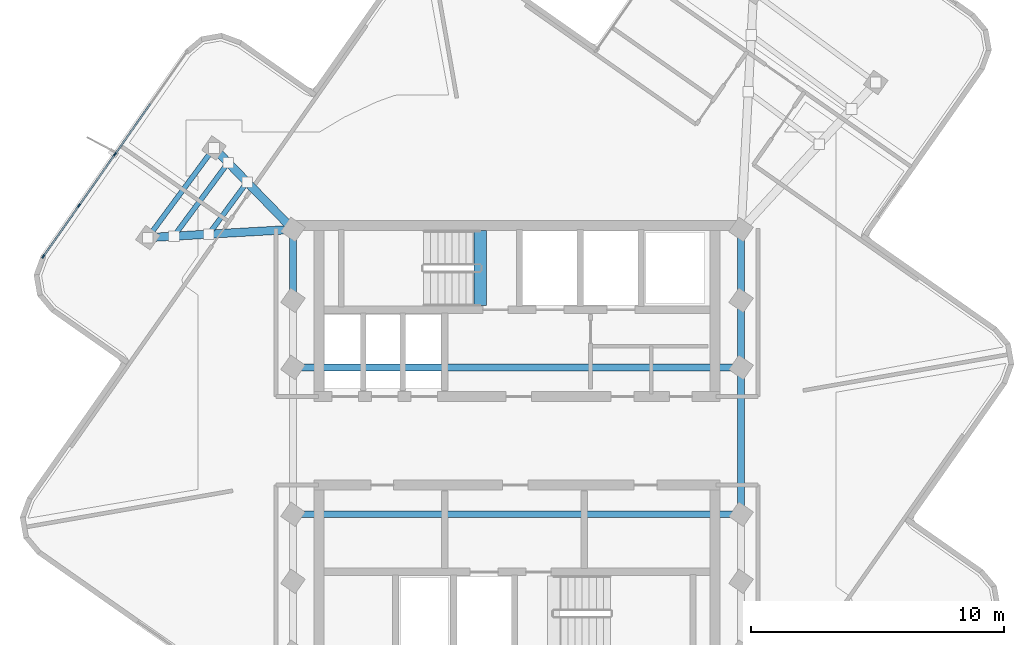
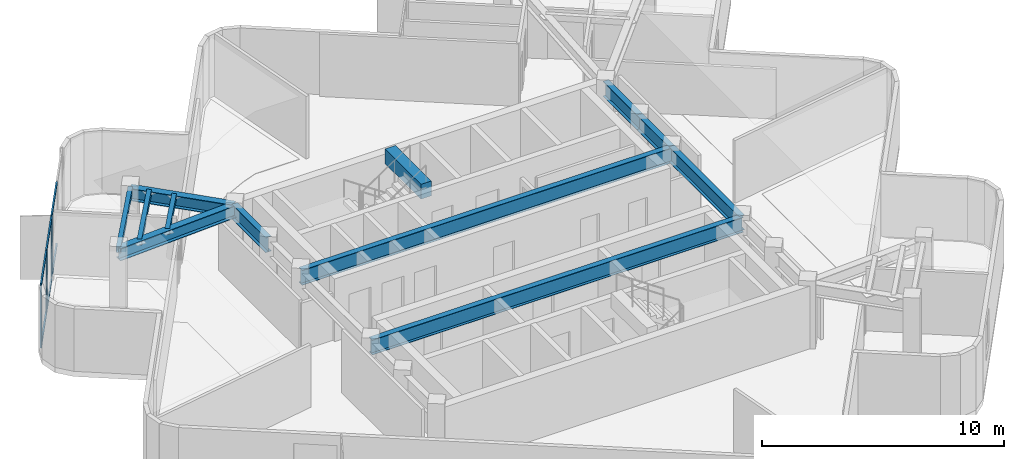
# One storey, part 2 of 9: 12 beams, 9 members, 1 element without a shape of its own.
"""IFC4 building model written with IfcOpenShell, lengths in metres."""

import ifcopenshell
import ifcopenshell.guid

model = None  # the IFC model being written
_history = None  # IfcOwnerHistory: only IFC2X3 demands one
_inside = {}  # id of a spatial element -> (the spatial element, [elements in it])
_under = {}  # id of a project, library or spatial element -> (it, [spatial elements below it])
_declared = {}  # id of a project -> (the project, [libraries it declares])
_typed = {}  # id of a type object -> (the type object, [elements of that type])
_made_of = {}  # id of a material, layer set ... -> (it, [elements and type objects made of it])


def new_model(schema):
    """Start an empty IFC model of exactly this schema.

    Asked for "IFC4X3", IfcOpenShell would pick the latest addendum, in which some entities
    have other attributes; the version numbers below select the first issue.
    IFC2X3 requires an IfcOwnerHistory on every rooted entity: one is made here for all.
    """
    global model, _history
    if schema == "IFC4X3":
        model = ifcopenshell.file(schema_version=(4, 3, 0, 0))
    else:
        model = ifcopenshell.file(schema=schema)
    _inside.clear()
    _under.clear()
    _declared.clear()
    _typed.clear()
    _made_of.clear()
    _history = None
    if model.schema == "IFC2X3":
        org = make("IfcOrganization", Name="unknown")
        user = make(
            "IfcPersonAndOrganization",
            ThePerson=make("IfcPerson", FamilyName="unknown"),
            TheOrganization=org,
        )
        app = make(
            "IfcApplication",
            ApplicationDeveloper=org,
            Version="unknown",
            ApplicationFullName="unknown",
            ApplicationIdentifier="unknown",
        )
        _history = make(
            "IfcOwnerHistory",
            OwningUser=user,
            OwningApplication=app,
            ChangeAction="ADDED",
            CreationDate=0,
        )
    return model


def make(cls, **values):
    """One entity of the class cls with the attributes given. An attribute that is None is left unset."""
    return model.create_entity(
        cls, **{name: value for name, value in values.items() if value is not None}
    )


def rooted(cls, **values):
    """An entity with a GlobalId (a new one), such as an element, a storey or a relation."""
    return make(cls, GlobalId=ifcopenshell.guid.new(), OwnerHistory=_history, **values)


def si_unit(unit_type, name, prefix=None):
    """IfcSIUnit, for example si_unit("LENGTHUNIT", "METRE", prefix="MILLI")."""
    return make("IfcSIUnit", UnitType=unit_type, Prefix=prefix, Name=name)


def assignment(units):
    """IfcUnitAssignment: the units of a project."""
    return None if units is None else make("IfcUnitAssignment", Units=units)


def point(xyz):
    """IfcCartesianPoint."""
    return None if xyz is None else make("IfcCartesianPoint", Coordinates=xyz)


def direction(xyz):
    """IfcDirection."""
    return None if xyz is None else make("IfcDirection", DirectionRatios=xyz)


def frame(location, z_axis=None, x_axis=None):
    """IfcAxis2Placement3D, a coordinate frame: its origin and axes. An axis left out is left unset."""
    return make(
        "IfcAxis2Placement3D",
        Location=point(location),
        Axis=direction(z_axis),
        RefDirection=direction(x_axis),
    )


def frame_2d(location, x_axis=None):
    """IfcAxis2Placement2D, a coordinate frame in the plane: its origin and x axis."""
    return make(
        "IfcAxis2Placement2D", Location=point(location), RefDirection=direction(x_axis)
    )


def origin():
    """The frame at (0, 0, 0) with its axes left unset."""
    return frame((0.0, 0.0, 0.0))


def origin_2d():
    """The frame at (0, 0) in the plane with its x axis left unset."""
    return frame_2d((0.0, 0.0))


def place(relative_to, where):
    """IfcLocalPlacement: puts the frame where relative to a parent placement (None: the world)."""
    return make(
        "IfcLocalPlacement", PlacementRelTo=relative_to, RelativePlacement=where
    )


def context(
    kind, dimensions, precision=None, world=None, true_north=None, identifier=None
):
    """IfcGeometricRepresentationContext, for example the 3D "Model" context."""
    return make(
        "IfcGeometricRepresentationContext",
        ContextIdentifier=identifier,
        ContextType=kind,
        CoordinateSpaceDimension=dimensions,
        Precision=precision,
        WorldCoordinateSystem=world,
        TrueNorth=true_north,
    )


def subcontext(parent, identifier, kind, view, scale=None):
    """IfcGeometricRepresentationSubContext, for example "Body" below "Model"."""
    return make(
        "IfcGeometricRepresentationSubContext",
        ContextIdentifier=identifier,
        ContextType=kind,
        ParentContext=parent,
        TargetScale=scale,
        TargetView=view,
    )


def project(units=None, contexts=None):
    """IfcProject with its units and contexts."""
    return rooted(
        "IfcProject",
        Name="project",
        RepresentationContexts=contexts,
        UnitsInContext=assignment(units),
    )


def spatial(cls, under=None, at=None, **own):
    """A site, building, storey or space (cls), placed at a placement, below another one or the project."""
    s = rooted(cls, ObjectPlacement=at, **own)
    if under is not None:
        _under.setdefault(under.id(), (under, []))[1].append(s)
    return s


def profile(cls, at=None, kind="AREA", **sizes):
    """A parametric profile (cls). Its sizes go by their IFC names, for example OverallWidth=200.0."""
    return make(cls, ProfileType=kind, Position=at, **sizes)


def rectangle(**sizes):
    """IfcRectangleProfileDef."""
    return profile("IfcRectangleProfileDef", **sizes)


def hollow_rectangle(**sizes):
    """IfcRectangleHollowProfileDef."""
    return profile("IfcRectangleHollowProfileDef", **sizes)


def i_section(**sizes):
    """IfcIShapeProfileDef."""
    return profile("IfcIShapeProfileDef", **sizes)


def extrude(swept, where, along, depth):
    """IfcExtrudedAreaSolid: the profile swept, set in the frame where, extruded along a direction by depth."""
    return make(
        "IfcExtrudedAreaSolid",
        SweptArea=swept,
        Position=where,
        ExtrudedDirection=direction(along),
        Depth=depth,
    )


def shape(context_of_items, identifier, shape_type, items):
    """IfcShapeRepresentation: the items that make up one representation, for example the "Body"."""
    return make(
        "IfcShapeRepresentation",
        ContextOfItems=context_of_items,
        RepresentationIdentifier=identifier,
        RepresentationType=shape_type,
        Items=items,
    )


def material(Name=None, Category=None):
    """IfcMaterial."""
    return make("IfcMaterial", Name=Name, Category=Category)


def layer(
    of_material, thickness, ventilated=None, Name=None, Category=None, Priority=None
):
    """IfcMaterialLayer: one layer of a wall or slab, of a material (None: an air gap)."""
    return make(
        "IfcMaterialLayer",
        Material=of_material,
        LayerThickness=thickness,
        IsVentilated=ventilated,
        Name=Name,
        Category=Category,
        Priority=Priority,
    )


def layer_set(layers, Name=None):
    """IfcMaterialLayerSet."""
    return make("IfcMaterialLayerSet", MaterialLayers=layers, LayerSetName=Name)


def material_profile(
    of_material, cross_section, Name=None, Category=None, Priority=None
):
    """IfcMaterialProfile: a cross section and its material."""
    return make(
        "IfcMaterialProfile",
        Name=Name,
        Material=of_material,
        Profile=cross_section,
        Priority=Priority,
        Category=Category,
    )


def profile_set(profiles, Name=None, composite=None):
    """IfcMaterialProfileSet."""
    return make(
        "IfcMaterialProfileSet",
        Name=Name,
        MaterialProfiles=profiles,
        CompositeProfile=composite,
    )


def made_of(thing, what):
    """Note that an element or type object is made of a material, layer set ...; save() writes the relation."""
    if what is not None:
        _made_of.setdefault(what.id(), (what, []))[1].append(thing)
    return thing


def type_object(cls, material=None, **own):
    """A type object (cls), such as IfcWallType, which elements share."""
    return made_of(rooted(cls, **own), material)


def element(
    cls,
    number,
    at=None,
    inside=None,
    cuts=None,
    type_object=None,
    material=None,
    context=None,
    identifier="Body",
    shape_type=None,
    held_by="IfcProductDefinitionShape",
    body=None,
    shapes=None,
    **own,
):
    """One element of the class cls, such as IfcWall. Its Tag is "e" and its number.

    at: its placement. inside: the storey or other place that contains it. cuts: it is an
    opening in that element (IfcRelVoidsElement). A single representation is given by context,
    identifier, shape_type and body (its items); several are given by shapes. held_by: the class
    of the entity that holds the representations. save() writes the other relations.
    """
    e = rooted(cls, Tag="e%d" % number, ObjectPlacement=at, **own)
    if body is not None:
        shapes = [shape(context, identifier, shape_type, body)]
    if shapes is not None:
        e.Representation = make(held_by, Representations=shapes)
    if inside is not None:
        _inside.setdefault(inside.id(), (inside, []))[1].append(e)
    if cuts is not None:
        rooted(
            "IfcRelVoidsElement", RelatingBuildingElement=cuts, RelatedOpeningElement=e
        )
    if type_object is not None:
        _typed.setdefault(type_object.id(), (type_object, []))[1].append(e)
    return made_of(e, material)


def aggregate(whole, parts):
    """IfcRelAggregates: a whole, such as a stair, and the parts it consists of."""
    return rooted("IfcRelAggregates", RelatingObject=whole, RelatedObjects=parts)


def save(model, path):
    """Write the relations noted so far, then the file.

    IfcRelAggregates (storeys below a building ...), IfcRelContainedInSpatialStructure (elements
    in a storey), IfcRelDefinesByType, IfcRelAssociatesMaterial and IfcRelDeclares: one each for
    every whole, place, type object, material and project.
    """
    for whole, parts in _under.values():
        aggregate(whole, parts)
    for where, things in _inside.values():
        rooted(
            "IfcRelContainedInSpatialStructure",
            RelatedElements=things,
            RelatingStructure=where,
        )
    for kind, things in _typed.values():
        rooted("IfcRelDefinesByType", RelatedObjects=things, RelatingType=kind)
    for what, things in _made_of.values():
        rooted("IfcRelAssociatesMaterial", RelatedObjects=things, RelatingMaterial=what)
    for by, libraries in _declared.values():
        rooted("IfcRelDeclares", RelatingContext=by, RelatedDefinitions=libraries)
    model.write(path)


model = new_model("IFC4")

# Units and contexts
model_context = context("Model", 3, precision=1e-05, world=origin(), true_north=direction((0.0, 1.0)))
body_context = subcontext(model_context, "Body", "Model", "MODEL_VIEW")
ifc_project = project(units=[si_unit("LENGTHUNIT", "METRE"), si_unit("AREAUNIT", "SQUARE_METRE"), si_unit("VOLUMEUNIT", "CUBIC_METRE"), si_unit("PLANEANGLEUNIT", "RADIAN"), si_unit("MASSUNIT", "GRAM", prefix="KILO")], contexts=[model_context])

# Site, building, storey
site_placement = place(None, origin())
site = spatial("IfcSite", under=ifc_project, at=site_placement, CompositionType="ELEMENT")
building_placement = place(site_placement, origin())
building = spatial("IfcBuilding", under=site, at=building_placement, Name="Solmarez Civic Tower", CompositionType="ELEMENT")
storey_placement = place(building_placement, frame((0.0, 0.0, 268.02001953125)))
storey = spatial("IfcBuildingStorey", under=building, at=storey_placement, Name="L72", CompositionType="ELEMENT", Elevation=268.02001953125)

# Beams
ifc_material_1 = material(Name="Steel S355", Category="steel")
ifc_material_profile_1 = material_profile(ifc_material_1, hollow_rectangle(XDim=0.199951171875, YDim=0.300048828125, WallThickness=0.011962890625, at=origin_2d()), Name="HSS300X200X12")
ifc_profile_set_1 = profile_set([ifc_material_profile_1], Name="Steel S355")
beam_type_1 = type_object("IfcBeamType", Name="BM-JS-HSS300X200", PredefinedType="JOIST", material=ifc_profile_set_1)
beam_1_placement = place(storey_placement, frame((-11.970947265625, 11.56591796875, 3.010009765625), z_axis=(-0.593730834471, -0.804663716219, 0.0), x_axis=(0.804663716219, -0.593730834471, 0.0)))
element("IfcBeam", 1, at=beam_1_placement, inside=storey, type_object=beam_type_1, Name="L72 Secondary Floor Joist BM-L72-NA-T1", PredefinedType="JOIST", context=body_context, shape_type="SweptSolid", body=[
    extrude(hollow_rectangle(XDim=0.199951171875, YDim=0.300048828125, WallThickness=0.011962890625, at=origin_2d()), origin(), (0.0, 0.0, 1.0), 4.3994140625),
])
beam_2_placement = place(storey_placement, frame((-10.659912109375, 10.215087890625, 3.010009765625), z_axis=(-0.593812477683, -0.804603468392, 0.0), x_axis=(0.804603468392, -0.593812477683, 0.0)))
element("IfcBeam", 2, at=beam_2_placement, inside=storey, type_object=beam_type_1, Name="L72 Secondary Floor Joist JS-L72-NA-M11", PredefinedType="JOIST", context=body_context, shape_type="SweptSolid", body=[
    extrude(hollow_rectangle(XDim=0.199951171875, YDim=0.300048828125, WallThickness=0.011962890625, at=origin_2d()), origin(), (0.0, 0.0, 1.0), 2.551513671875),
])
beam_3_placement = place(storey_placement, frame((-11.408935546875, 10.987060546875, 3.010009765625), z_axis=(-0.593734433343, -0.804661060735, 0.0), x_axis=(0.804661060735, -0.593734433343, 0.0)))
element("IfcBeam", 3, at=beam_3_placement, inside=storey, type_object=beam_type_1, Name="L72 Secondary Floor Joist JS-L72-NA-M12", PredefinedType="JOIST", context=body_context, shape_type="SweptSolid", body=[
    extrude(hollow_rectangle(XDim=0.199951171875, YDim=0.300048828125, WallThickness=0.011962890625, at=origin_2d()), origin(), (0.0, 0.0, 1.0), 3.60791015625),
])
ifc_material_2 = material(Name="Concrete C50/60", Category="concrete")
ifc_material_profile_2 = material_profile(ifc_material_2, rectangle(XDim=0.5, YDim=0.75, at=origin_2d()), Name="RC500X750")
ifc_profile_set_2 = profile_set([ifc_material_profile_2], Name="Concrete C50/60")
beam_type_2 = type_object("IfcBeamType", Name="BM-PR-RC500X750", PredefinedType="BEAM", material=ifc_profile_set_2)
beam_4_placement = place(storey_placement, frame((-1.449951171875, 5.340087890625, 3.052978515625), z_axis=(0.0, 1.0, 0.0), x_axis=(-1.0, 0.0, 0.0)))
element("IfcBeam", 4, at=beam_4_placement, inside=storey, type_object=beam_type_2, Name="L72 North Stair Threshold Beam", PredefinedType="BEAM", context=body_context, shape_type="SweptSolid", body=[
    extrude(rectangle(XDim=0.5, YDim=0.75, at=origin_2d()), origin(), (0.0, 0.0, 1.0), 2.9599609375),
])
ifc_material_profile_3 = material_profile(ifc_material_1, i_section(OverallWidth=0.327880859375, OverallDepth=0.6220703125, WebThickness=0.015380859375, FlangeThickness=0.0244140625, at=origin_2d()), Name="W24X131")
ifc_profile_set_3 = profile_set([ifc_material_profile_3], Name="Steel S355")
beam_type_3 = type_object("IfcBeamType", Name="BM-PR-W24X131", PredefinedType="BEAM", material=ifc_profile_set_3)
beam_5_placement = place(storey_placement, frame((-8.85009765625, 8.35009765625, 2.848876953125), z_axis=(-0.696430820305, 0.717623935309, 0.0), x_axis=(-0.717623935309, -0.696430820305, 0.0)))
element("IfcBeam", 5, at=beam_5_placement, inside=storey, type_object=beam_type_3, Name="L72 Primary Floor Beam BM-L72-NA-R1A", PredefinedType="BEAM", context=body_context, shape_type="SweptSolid", body=[
    extrude(i_section(OverallWidth=0.327880859375, OverallDepth=0.6220703125, WebThickness=0.015380859375, FlangeThickness=0.0244140625, at=origin_2d()), origin(), (0.0, 0.0, 1.0), 4.481201171875),
])
beam_6_placement = place(storey_placement, frame((-8.85009765625, 8.35009765625, 2.848876953125), z_axis=(-0.998404650863, -0.056463732917, 0.0), x_axis=(0.056463732917, -0.998404650863, 0.0)))
element("IfcBeam", 6, at=beam_6_placement, inside=storey, type_object=beam_type_3, Name="L72 Primary Floor Beam BM-L72-NA-R1B", PredefinedType="BEAM", context=body_context, shape_type="SweptSolid", body=[
    extrude(i_section(OverallWidth=0.327880859375, OverallDepth=0.6220703125, WebThickness=0.015380859375, FlangeThickness=0.0244140625, at=origin_2d()), origin(), (0.0, 0.0, 1.0), 5.7421875),
])
ifc_material_profile_4 = material_profile(ifc_material_1, i_section(OverallWidth=0.26708984375, OverallDepth=0.761962890625, WebThickness=0.014404296875, FlangeThickness=0.021484375, at=origin_2d()), Name="W30X116")
ifc_profile_set_4 = profile_set([ifc_material_profile_4], Name="Steel S355")
beam_type_4 = type_object("IfcBeamType", Name="BM-PR-W30X116", PredefinedType="BEAM", material=ifc_profile_set_4)
beam_7_placement = place(storey_placement, frame((-8.85009765625, 5.550048828125, 2.779052734375), z_axis=(0.0, 1.0, 0.0), x_axis=(-1.0, 0.0, 0.0)))
element("IfcBeam", 7, at=beam_7_placement, inside=storey, type_object=beam_type_4, Name="L72 Primary Floor Beam BM-L72-HC4-HC9", PredefinedType="BEAM", context=body_context, shape_type="SweptSolid", body=[
    extrude(i_section(OverallWidth=0.26708984375, OverallDepth=0.761962890625, WebThickness=0.014404296875, FlangeThickness=0.021484375, at=origin_2d()), origin(), (0.0, 0.0, 1.0), 2.800048828125),
])
beam_8_placement = place(storey_placement, frame((8.85009765625, -2.89990234375, 2.779052734375), z_axis=(0.0, 1.0, 0.0), x_axis=(-1.0, 0.0, 0.0)))
element("IfcBeam", 8, at=beam_8_placement, inside=storey, type_object=beam_type_4, Name="L72 Primary Floor Beam BM-L72-HC6-HC7", PredefinedType="BEAM", context=body_context, shape_type="SweptSolid", body=[
    extrude(i_section(OverallWidth=0.26708984375, OverallDepth=0.761962890625, WebThickness=0.014404296875, FlangeThickness=0.021484375, at=origin_2d()), origin(), (0.0, 0.0, 1.0), 5.7998046875),
])
beam_9_placement = place(storey_placement, frame((8.85009765625, 2.89990234375, 2.779052734375), z_axis=(0.0, 1.0, 0.0), x_axis=(-1.0, 0.0, 0.0)))
element("IfcBeam", 9, at=beam_9_placement, inside=storey, type_object=beam_type_4, Name="L72 Primary Floor Beam BM-L72-HC7-HC8", PredefinedType="BEAM", context=body_context, shape_type="SweptSolid", body=[
    extrude(i_section(OverallWidth=0.26708984375, OverallDepth=0.761962890625, WebThickness=0.014404296875, FlangeThickness=0.021484375, at=origin_2d()), origin(), (0.0, 0.0, 1.0), 2.650146484375),
])
beam_10_placement = place(storey_placement, frame((8.85009765625, 5.550048828125, 2.779052734375), z_axis=(0.0, 1.0, 0.0), x_axis=(-1.0, 0.0, 0.0)))
element("IfcBeam", 10, at=beam_10_placement, inside=storey, type_object=beam_type_4, Name="L72 Primary Floor Beam BM-L72-HC8-HC11", PredefinedType="BEAM", context=body_context, shape_type="SweptSolid", body=[
    extrude(i_section(OverallWidth=0.26708984375, OverallDepth=0.761962890625, WebThickness=0.014404296875, FlangeThickness=0.021484375, at=origin_2d()), origin(), (0.0, 0.0, 1.0), 2.800048828125),
])
for number, where, z_axis, x_axis, name in (
    (11, (-8.85009765625, -2.89990234375, 2.779052734375), (1.0, 0.0, 0.0), (0.0, 1.0, 0.0), "L72 Primary Floor Beam BM-L72-HC2-HC6"),
    (12, (-8.85009765625, 2.89990234375, 2.779052734375), (1.0, 0.0, 0.0), (0.0, 1.0, 0.0), "L72 Primary Floor Beam BM-L72-HC3-HC7"),
):
    element("IfcBeam", number, at=place(storey_placement, frame(where, z_axis=z_axis, x_axis=x_axis)), inside=storey, type_object=beam_type_4, Name=name, PredefinedType="BEAM", context=body_context, shape_type="SweptSolid", body=[
        extrude(i_section(OverallWidth=0.26708984375, OverallDepth=0.761962890625, WebThickness=0.014404296875, FlangeThickness=0.021484375, at=origin_2d()), origin(), (0.0, 0.0, 1.0), 17.7001953125),
    ])

# Curtain wall, members
ifc_material_3 = material(Name="Bronze Anodised Aluminium EN AW-6063 T6", Category="aluminium")
ifc_layer = layer(ifc_material_3, 0.1650390625)
ifc_layer_set = layer_set([ifc_layer], Name="Bronze Anodised Aluminium EN AW-6063 T6")
curtain_wall_type = type_object("IfcCurtainWallType", Name="CW-SYS-4", PredefinedType="NOTDEFINED", material=ifc_layer_set)
curtain_wall_placement = place(storey_placement, origin())
curtain_wall = element("IfcCurtainWall", 13, at=curtain_wall_placement, inside=storey, type_object=curtain_wall_type, Name="L72 Stick-Built Curtain Wall 1", PredefinedType="NOTDEFINED")
ifc_material_profile_5 = material_profile(ifc_material_3, rectangle(XDim=0.06005859375, YDim=0.14990234375, at=origin_2d()), Name="CWM-60X150")
ifc_profile_set_5 = profile_set([ifc_material_profile_5], Name="Bronze Anodised Aluminium EN AW-6063 T6")
member_type_1 = type_object("IfcMemberType", Name="CWM-TYPE-4", PredefinedType="MULLION", material=ifc_profile_set_5)
member_1_placement = place(storey_placement, frame((-18.710693359375, 7.281494140625, 0.0), z_axis=(0.0, 0.0, 1.0), x_axis=(-0.818748690603, 0.574152054456, 0.0)))
member_1 = element("IfcMember", 14, at=member_1_placement, type_object=member_type_1, Name="CWS4 mullion 1", PredefinedType="MULLION", context=body_context, shape_type="SweptSolid", body=[
    extrude(rectangle(XDim=0.06005859375, YDim=0.14990234375, at=origin_2d()), origin(), (0.0, 0.0, 1.0), 3.159912109375),
])
member_2_placement = place(storey_placement, frame((-17.3037109375, 9.2880859375, 0.0), z_axis=(0.0, 0.0, 1.0), x_axis=(-0.818748690603, 0.574152054456, 0.0)))
member_2 = element("IfcMember", 15, at=member_2_placement, type_object=member_type_1, Name="CWS4 mullion 2", PredefinedType="MULLION", context=body_context, shape_type="SweptSolid", body=[
    extrude(rectangle(XDim=0.06005859375, YDim=0.14990234375, at=origin_2d()), origin(), (0.0, 0.0, 1.0), 3.159912109375),
])
member_3_placement = place(storey_placement, frame((-15.87939453125, 11.319091796875, 0.0), z_axis=(0.0, 0.0, 1.0), x_axis=(-0.818748690603, 0.574152054456, 0.0)))
member_3 = element("IfcMember", 16, at=member_3_placement, type_object=member_type_1, Name="CWS4 mullion 3", PredefinedType="MULLION", context=body_context, shape_type="SweptSolid", body=[
    extrude(rectangle(XDim=0.06005859375, YDim=0.14990234375, at=origin_2d()), origin(), (0.0, 0.0, 1.0), 3.159912109375),
])
ifc_material_profile_6 = material_profile(ifc_material_3, rectangle(XDim=0.070068359375, YDim=0.139892578125, at=origin_2d()), Name="CWT-70X140")
ifc_profile_set_6 = profile_set([ifc_material_profile_6], Name="Bronze Anodised Aluminium EN AW-6063 T6")
member_type_2 = type_object("IfcMemberType", Name="CWT-TYPE-1", PredefinedType="USERDEFINED", material=ifc_profile_set_6)
member_4_placement = place(storey_placement, frame((-18.693603515625, 7.30615234375, 0.034912109375), z_axis=(0.574154405563, 0.818747041871, 0.0), x_axis=(-0.818747041871, 0.574154405563, 0.0)))
member_4 = element("IfcMember", 17, at=member_4_placement, type_object=member_type_2, Name="CWS4 transom 1.1", ObjectType="TRANSOM", PredefinedType="USERDEFINED", context=body_context, shape_type="SweptSolid", body=[
    extrude(rectangle(XDim=0.070068359375, YDim=0.139892578125, at=origin_2d()), origin(), (0.0, 0.0, 1.0), 2.390625),
])
member_5_placement = place(storey_placement, frame((-18.693603515625, 7.30615234375, 3.125), z_axis=(0.574154405563, 0.818747041871, 0.0), x_axis=(-0.818747041871, 0.574154405563, 0.0)))
member_5 = element("IfcMember", 18, at=member_5_placement, type_object=member_type_2, Name="CWS4 transom 1.2", ObjectType="TRANSOM", PredefinedType="USERDEFINED", context=body_context, shape_type="SweptSolid", body=[
    extrude(rectangle(XDim=0.070068359375, YDim=0.139892578125, at=origin_2d()), origin(), (0.0, 0.0, 1.0), 2.390625),
])
member_6_placement = place(storey_placement, frame((-17.28662109375, 9.3125, 0.034912109375), z_axis=(0.57416608526, 0.818738851245, 0.0), x_axis=(-0.818738851245, 0.57416608526, 0.0)))
member_6 = element("IfcMember", 19, at=member_6_placement, type_object=member_type_2, Name="CWS4 transom 2.1", ObjectType="TRANSOM", PredefinedType="USERDEFINED", context=body_context, shape_type="SweptSolid", body=[
    extrude(rectangle(XDim=0.070068359375, YDim=0.139892578125, at=origin_2d()), origin(), (0.0, 0.0, 1.0), 2.420654296875),
])
member_7_placement = place(storey_placement, frame((-17.28662109375, 9.3125, 3.125), z_axis=(0.57416608526, 0.818738851245, 0.0), x_axis=(-0.818738851245, 0.57416608526, 0.0)))
member_7 = element("IfcMember", 20, at=member_7_placement, type_object=member_type_2, Name="CWS4 transom 2.2", ObjectType="TRANSOM", PredefinedType="USERDEFINED", context=body_context, shape_type="SweptSolid", body=[
    extrude(rectangle(XDim=0.070068359375, YDim=0.139892578125, at=origin_2d()), origin(), (0.0, 0.0, 1.0), 2.420654296875),
])
member_8_placement = place(storey_placement, frame((-15.8623046875, 11.343505859375, 0.034912109375), z_axis=(0.57416608526, 0.818738851245, 0.0), x_axis=(-0.818738851245, 0.57416608526, 0.0)))
member_8 = element("IfcMember", 21, at=member_8_placement, type_object=member_type_2, Name="CWS4 transom 3.1", ObjectType="TRANSOM", PredefinedType="USERDEFINED", context=body_context, shape_type="SweptSolid", body=[
    extrude(rectangle(XDim=0.070068359375, YDim=0.139892578125, at=origin_2d()), origin(), (0.0, 0.0, 1.0), 2.420654296875),
])
member_9_placement = place(storey_placement, frame((-15.8623046875, 11.343505859375, 3.125), z_axis=(0.57416608526, 0.818738851245, 0.0), x_axis=(-0.818738851245, 0.57416608526, 0.0)))
member_9 = element("IfcMember", 22, at=member_9_placement, type_object=member_type_2, Name="CWS4 transom 3.2", ObjectType="TRANSOM", PredefinedType="USERDEFINED", context=body_context, shape_type="SweptSolid", body=[
    extrude(rectangle(XDim=0.070068359375, YDim=0.139892578125, at=origin_2d()), origin(), (0.0, 0.0, 1.0), 2.420654296875),
])
aggregate(curtain_wall, [member_1, member_2, member_3, member_4, member_5, member_6, member_7, member_8, member_9])

save(model, "model.ifc")
